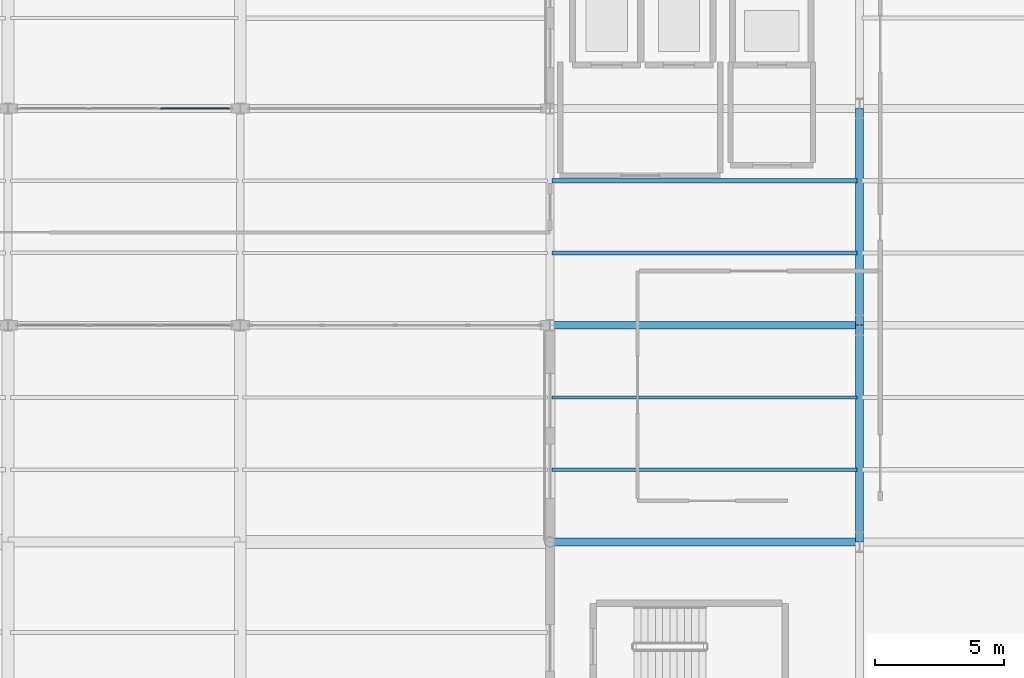
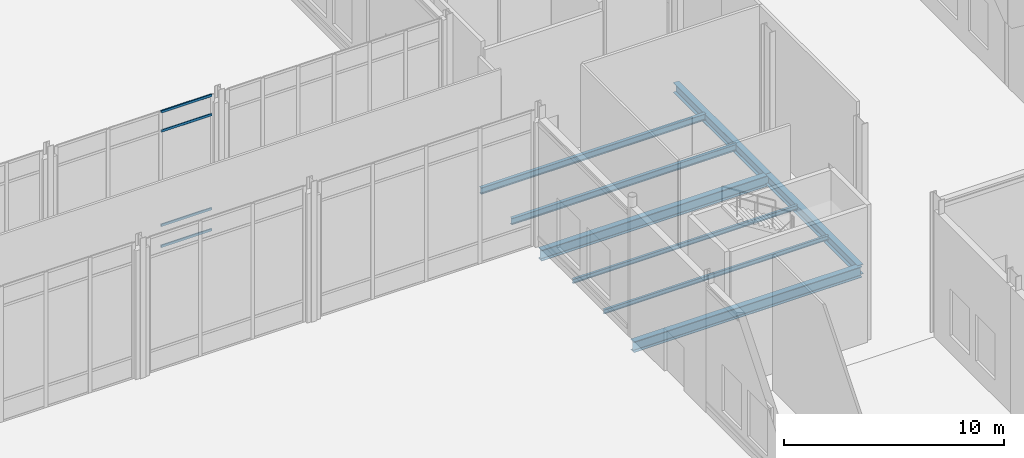
# One storey, part 109 of 176: 8 beams, 4 members, 1 element without a shape of its own.
"""IFC4 building model written with IfcOpenShell, lengths in metres."""

from ifc_helpers import new_model, si_unit, direction, frame, origin, origin_2d, place, context, subcontext, project, spatial, hollow_rectangle, i_section, extrude, material, layer, layer_set, material_profile, profile_set, type_object, element, aggregate, save


model = new_model("IFC4")

# Units and contexts
model_context = context("Model", 3, precision=1e-05, world=origin(), true_north=direction((0.0, 1.0)))
body_context = subcontext(model_context, "Body", "Model", "MODEL_VIEW")
ifc_project = project(units=[si_unit("LENGTHUNIT", "METRE"), si_unit("AREAUNIT", "SQUARE_METRE"), si_unit("VOLUMEUNIT", "CUBIC_METRE"), si_unit("PLANEANGLEUNIT", "RADIAN"), si_unit("MASSUNIT", "GRAM", prefix="KILO")], contexts=[model_context])

# Site, building, storey
site_placement = place(None, origin())
site = spatial("IfcSite", under=ifc_project, at=site_placement, CompositionType="ELEMENT")
building_placement = place(site_placement, origin())
building = spatial("IfcBuilding", under=site, at=building_placement, Name="Vekula Escarpment Museum", CompositionType="ELEMENT")
storey_placement = place(building_placement, origin())
storey = spatial("IfcBuildingStorey", under=building, at=storey_placement, Name="L01", CompositionType="ELEMENT", Elevation=0.0)

# Beams
ifc_material_1 = material(Name="Steel S355", Category="steel")
ifc_material_profile_1 = material_profile(ifc_material_1, i_section(OverallWidth=0.300048828125, OverallDepth=0.550048828125, WebThickness=0.014892578125, FlangeThickness=0.029052734375, FilletRadius=0.027099609375, at=origin_2d()), Name="HEB 550")
ifc_profile_set_1 = profile_set([ifc_material_profile_1], Name="Steel S355")
beam_type_1 = type_object("IfcBeamType", Name="BM-GIRD-HEB550", PredefinedType="BEAM", material=ifc_profile_set_1)
for number, where, z_axis, x_axis, name in (
    (1, (179.0, 59.60009765625, -0.574951171875), (0.0, 1.0, 0.0), (-1.0, 0.0, 0.0), "Beam Y L01 0752"),
    (2, (179.0, 68.0, -0.574951171875), (0.0, 1.0, 0.0), (-1.0, 0.0, 0.0), "Beam Y L01 0753"),
):
    element("IfcBeam", number, at=place(storey_placement, frame(where, z_axis=z_axis, x_axis=x_axis)), inside=storey, type_object=beam_type_1, Name=name, PredefinedType="BEAM", context=body_context, shape_type="SweptSolid", body=[
        extrude(i_section(OverallWidth=0.300048828125, OverallDepth=0.550048828125, WebThickness=0.014892578125, FlangeThickness=0.029052734375, FilletRadius=0.027099609375, at=origin_2d()), origin(), (0.0, 0.0, 1.0), 8.39990234375),
    ])
ifc_material_2 = material(Name="Steel S355", Category="steel")
ifc_material_profile_2 = material_profile(ifc_material_2, i_section(OverallWidth=0.300048828125, OverallDepth=0.60009765625, WebThickness=0.015380859375, FlangeThickness=0.030029296875, FilletRadius=0.027099609375, at=origin_2d()), Name="HEB 600")
ifc_profile_set_2 = profile_set([ifc_material_profile_2], Name="Steel S355")
beam_type_2 = type_object("IfcBeamType", Name="BM-GIRD-HEB600", PredefinedType="BEAM", material=ifc_profile_set_2)
for number, where, z_axis, x_axis, name in (
    (3, (167.0, 59.60009765625, -0.60009765625), (1.0, 0.0, 0.0), (0.0, 1.0, 0.0), "Beam X L01 0180"),
    (4, (167.0, 68.0, -0.60009765625), (1.0, 0.0, 0.0), (0.0, 1.0, 0.0), "Beam X L01 0203"),
):
    element("IfcBeam", number, at=place(storey_placement, frame(where, z_axis=z_axis, x_axis=x_axis)), inside=storey, type_object=beam_type_2, Name=name, PredefinedType="BEAM", context=body_context, shape_type="SweptSolid", body=[
        extrude(i_section(OverallWidth=0.300048828125, OverallDepth=0.60009765625, WebThickness=0.015380859375, FlangeThickness=0.030029296875, FilletRadius=0.027099609375, at=origin_2d()), origin(), (0.0, 0.0, 1.0), 12.0),
    ])
ifc_material_3 = material(Name="Steel S355", Category="steel")
ifc_material_profile_3 = material_profile(ifc_material_3, i_section(OverallWidth=0.1201171875, OverallDepth=0.239990234375, WebThickness=0.006103515625, FlangeThickness=0.009765625, FilletRadius=0.014892578125, at=origin_2d()), Name="IPE 240")
ifc_profile_set_3 = profile_set([ifc_material_profile_3], Name="Steel S355")
beam_type_3 = type_object("IfcBeamType", Name="BM-JST-IPE240", PredefinedType="JOIST", material=ifc_profile_set_3)
for number, where, z_axis, x_axis, name in (
    (5, (167.090087890625, 62.39990234375, -0.419921875), (1.0, 0.0, 0.0), (0.0, 1.0, 0.0), "Secondary Joist L01 0552"),
    (6, (167.090087890625, 65.199951171875, -0.419921875), (1.0, 0.0, 0.0), (0.0, 1.0, 0.0), "Secondary Joist L01 0553"),
):
    element("IfcBeam", number, at=place(storey_placement, frame(where, z_axis=z_axis, x_axis=x_axis)), inside=storey, type_object=beam_type_3, Name=name, PredefinedType="JOIST", context=body_context, shape_type="SweptSolid", body=[
        extrude(i_section(OverallWidth=0.1201171875, OverallDepth=0.239990234375, WebThickness=0.006103515625, FlangeThickness=0.009765625, FilletRadius=0.014892578125, at=origin_2d()), origin(), (0.0, 0.0, 1.0), 11.81982421875),
    ])
ifc_material_4 = material(Name="Steel S355", Category="steel")
ifc_material_profile_4 = material_profile(ifc_material_4, i_section(OverallWidth=0.169921875, OverallDepth=0.360107421875, WebThickness=0.008056640625, FlangeThickness=0.0126953125, FilletRadius=0.01806640625, at=origin_2d()), Name="IPE 360")
ifc_profile_set_4 = profile_set([ifc_material_profile_4], Name="Steel S355")
beam_type_4 = type_object("IfcBeamType", Name="BM-JST-IPE360", PredefinedType="JOIST", material=ifc_profile_set_4)
for number, where, z_axis, x_axis, name in (
    (7, (167.090087890625, 70.800048828125, -0.47998046875), (1.0, 0.0, 0.0), (0.0, 1.0, 0.0), "Secondary Joist L01 0554"),
    (8, (167.090087890625, 73.60009765625, -0.47998046875), (1.0, 0.0, 0.0), (0.0, 1.0, 0.0), "Secondary Joist L01 0555"),
):
    element("IfcBeam", number, at=place(storey_placement, frame(where, z_axis=z_axis, x_axis=x_axis)), inside=storey, type_object=beam_type_4, Name=name, PredefinedType="JOIST", context=body_context, shape_type="SweptSolid", body=[
        extrude(i_section(OverallWidth=0.169921875, OverallDepth=0.360107421875, WebThickness=0.008056640625, FlangeThickness=0.0126953125, FilletRadius=0.01806640625, at=origin_2d()), origin(), (0.0, 0.0, 1.0), 11.81982421875),
    ])

# Curtain wall, members
ifc_material_5 = material(Name="Aluminium thermally broken framing", Category="aluminium")
ifc_layer = layer(ifc_material_5, 0.169921875)
ifc_layer_set = layer_set([ifc_layer], Name="Aluminium thermally broken framing")
curtain_wall_type = type_object("IfcCurtainWallType", Name="CW-SYS-10", PredefinedType="NOTDEFINED", material=ifc_layer_set)
curtain_wall_placement = place(storey_placement, origin())
curtain_wall = element("IfcCurtainWall", 9, at=curtain_wall_placement, inside=storey, type_object=curtain_wall_type, Name="Curtain Wall CW-L01-020", PredefinedType="NOTDEFINED")
ifc_material_6 = material(Name="Aluminium anodized transom", Category="aluminium")
ifc_material_profile_5 = material_profile(ifc_material_6, hollow_rectangle(XDim=0.06494140625, YDim=0.139892578125, WallThickness=0.00390625, InnerFilletRadius=0.00390625, OuterFilletRadius=0.008056640625, at=origin_2d()), Name="ALU 140x65x4")
ifc_profile_set_5 = profile_set([ifc_material_profile_5], Name="Aluminium anodized transom")
member_type = type_object("IfcMemberType", Name="CW-TRN-140", PredefinedType="USERDEFINED", material=ifc_profile_set_5)
member_1_placement = place(storey_placement, frame((154.574951171875, 76.39990234375, 0.032470703125), z_axis=(-1.0, 0.0, 0.0), x_axis=(0.0, -1.0, 0.0)))
member_1 = element("IfcMember", 10, at=member_1_placement, type_object=member_type, Name="CW-10 transom 1.1", ObjectType="TRANSOM", PredefinedType="USERDEFINED", context=body_context, shape_type="SweptSolid", body=[
    extrude(hollow_rectangle(XDim=0.06494140625, YDim=0.139892578125, WallThickness=0.00390625, InnerFilletRadius=0.00390625, OuterFilletRadius=0.008056640625, at=origin_2d()), origin(), (0.0, 0.0, 1.0), 2.662353515625),
])
member_2_placement = place(storey_placement, frame((154.574951171875, 76.39990234375, 1.199951171875), z_axis=(-1.0, 0.0, 0.0), x_axis=(0.0, -1.0, 0.0)))
member_2 = element("IfcMember", 11, at=member_2_placement, type_object=member_type, Name="CW-10 transom 1.2", ObjectType="TRANSOM", PredefinedType="USERDEFINED", context=body_context, shape_type="SweptSolid", body=[
    extrude(hollow_rectangle(XDim=0.06494140625, YDim=0.139892578125, WallThickness=0.00390625, InnerFilletRadius=0.00390625, OuterFilletRadius=0.008056640625, at=origin_2d()), origin(), (0.0, 0.0, 1.0), 2.662353515625),
])
member_3_placement = place(storey_placement, frame((154.574951171875, 76.39990234375, 6.43994140625), z_axis=(-1.0, 0.0, 0.0), x_axis=(0.0, -1.0, 0.0)))
member_3 = element("IfcMember", 12, at=member_3_placement, type_object=member_type, Name="CW-10 transom 1.3", ObjectType="TRANSOM", PredefinedType="USERDEFINED", context=body_context, shape_type="SweptSolid", body=[
    extrude(hollow_rectangle(XDim=0.06494140625, YDim=0.139892578125, WallThickness=0.00390625, InnerFilletRadius=0.00390625, OuterFilletRadius=0.008056640625, at=origin_2d()), origin(), (0.0, 0.0, 1.0), 2.662353515625),
])
member_4_placement = place(storey_placement, frame((154.574951171875, 76.39990234375, 7.507568359375), z_axis=(-1.0, 0.0, 0.0), x_axis=(0.0, -1.0, 0.0)))
member_4 = element("IfcMember", 13, at=member_4_placement, type_object=member_type, Name="CW-10 transom 1.4", ObjectType="TRANSOM", PredefinedType="USERDEFINED", context=body_context, shape_type="SweptSolid", body=[
    extrude(hollow_rectangle(XDim=0.06494140625, YDim=0.139892578125, WallThickness=0.00390625, InnerFilletRadius=0.00390625, OuterFilletRadius=0.008056640625, at=origin_2d()), origin(), (0.0, 0.0, 1.0), 2.662353515625),
])
aggregate(curtain_wall, [member_1, member_2, member_3, member_4])

save(model, "model.ifc")
